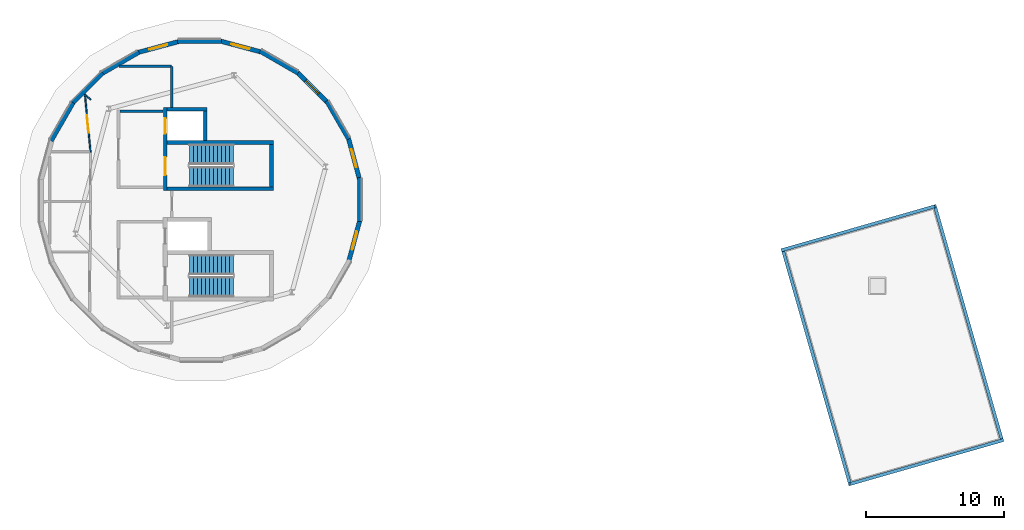
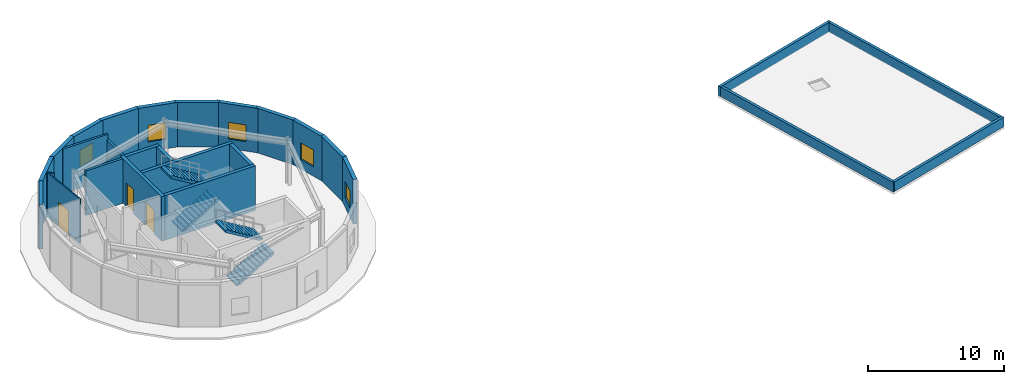
# One storey, part 3 of 5: 27 walls, 5 windows, 4 stair flights, 3 doors, 8 openings, 2 elements without a shape of their own.
"""IFC4 building model written with IfcOpenShell, lengths in metres."""

from ifc_helpers import new_model, si_unit, direction, frame, frame_2d, origin, place, context, subcontext, project, spatial, polyline, rectangle, outline, extrude, material, layer, layer_set, type_object, element, fill, aggregate, save


model = new_model("IFC4")

# Units and contexts
model_context = context("Model", 3, precision=1e-05, world=origin(), true_north=direction((0.0, 1.0)))
body_context = subcontext(model_context, "Body", "Model", "MODEL_VIEW")
ifc_project = project(units=[si_unit("LENGTHUNIT", "METRE"), si_unit("AREAUNIT", "SQUARE_METRE"), si_unit("VOLUMEUNIT", "CUBIC_METRE"), si_unit("PLANEANGLEUNIT", "RADIAN"), si_unit("MASSUNIT", "GRAM", prefix="KILO")], contexts=[model_context])

# Site, building, storey
site_placement = place(None, origin())
site = spatial("IfcSite", under=ifc_project, at=site_placement, CompositionType="ELEMENT")
building_placement = place(site_placement, origin())
building = spatial("IfcBuilding", under=site, at=building_placement, Name="Varnklinge Art Gallery", CompositionType="ELEMENT")
storey_placement = place(building_placement, frame((0.0, 0.0, 21.60009765625)))
storey = spatial("IfcBuildingStorey", under=building, at=storey_placement, Name="L05", CompositionType="ELEMENT", Elevation=21.60009765625)

# Wall
ifc_material_1 = material(Name="Precast concrete C40/50", Category="concrete")
ifc_layer_1 = layer(ifc_material_1, 0.320068359375)
ifc_layer_set_1 = layer_set([ifc_layer_1], Name="Precast concrete C40/50")
wall_type_1 = type_object("IfcWallType", Name="EW-32", PredefinedType="SOLIDWALL", material=ifc_layer_set_1)
wall_1_placement = place(storey_placement, frame((87.0390625, 40.17919921875, 0.0), z_axis=(0.0, 0.0, 1.0), x_axis=(0.0, -1.0, 0.0)))
element("IfcWall", 1, at=wall_1_placement, inside=storey, type_object=wall_type_1, Name="L05 Exterior Wall EW-V4D-L05-01", PredefinedType="SOLIDWALL", context=body_context, shape_type="SweptSolid", body=[
    extrude(rectangle(XDim=3.1982421875, YDim=0.320068359375, at=frame_2d((1.59912109375, 0.0))), origin(), (0.0, 0.0, 1.0), 4.0),
])

# Wall, opening, window
wall_2_placement = place(storey_placement, frame((87.080322265625, 37.135498046875, 0.0), z_axis=(0.0, 0.0, 1.0), x_axis=(-0.258774240958, -0.96593783041, 0.0)))
wall_2 = element("IfcWall", 2, at=wall_2_placement, inside=storey, type_object=wall_type_1, Name="L05 Exterior Wall EW-V4D-L05-02", PredefinedType="SOLIDWALL", context=body_context, shape_type="SweptSolid", body=[
    extrude(rectangle(XDim=3.1982421875, YDim=0.320068359375, at=frame_2d((1.59912109375, 0.0))), origin(), (0.0, 0.0, 1.0), 4.0),
])
opening_1_placement = place(wall_2_placement, frame((0.92431640625, 0.0, 0.85009765625)))
opening_1 = element("IfcOpeningElement", 3, at=opening_1_placement, cuts=wall_2, Name="Opening WN-02", PredefinedType="OPENING", context=body_context, shape_type="SweptSolid", body=[
    extrude(rectangle(XDim=1.35009765625, YDim=1.5, at=frame_2d((0.675048828125, 0.75))), frame((0.0, 0.170166015625, 0.0), z_axis=(0.0, -1.0, 0.0), x_axis=(1.0, 0.0, 0.0)), (0.0, 0.0, 1.0), 0.340087890625),
])
ifc_material_2 = material(Name="Insulated Low-E Triple Glazing", Category="glass")
window_type = type_object("IfcWindowType", Name="WN-02", PartitioningType="SINGLE_PANEL", PredefinedType="WINDOW", material=ifc_material_2)
window_1_placement = place(opening_1_placement, origin())
window_1 = element("IfcWindow", 4, at=window_1_placement, inside=storey, type_object=window_type, Name="L05 Window WIN-L05-116", OverallHeight=1.5, OverallWidth=1.35009765625, PartitioningType="SINGLE_PANEL", PredefinedType="WINDOW", context=body_context, shape_type="SweptSolid", body=[
    extrude(rectangle(XDim=1.35009765625, YDim=1.5, at=frame_2d((0.675048828125, 0.75))), frame((0.0, 0.030029296875, 0.0), z_axis=(0.0, -1.0, 0.0), x_axis=(1.0, 0.0, 0.0)), (0.0, 0.0, 1.0), 0.06005859375),
])
fill(opening_1, window_1)

# Walls
wall_3_placement = place(storey_placement, frame((64.667236328125, 42.815185546875, 0.0), z_axis=(0.0, 0.0, 1.0), x_axis=(0.499964726069, 0.86604576824, 0.0)))
element("IfcWall", 5, at=wall_3_placement, inside=storey, type_object=wall_type_1, Name="L05 Exterior Wall EW-V4D-L05-15", PredefinedType="SOLIDWALL", context=body_context, shape_type="SweptSolid", body=[
    extrude(rectangle(XDim=3.198486328125, YDim=0.320068359375, at=frame_2d((1.59912109375, 0.0))), origin(), (0.0, 0.0, 1.0), 4.0),
])
wall_4_placement = place(storey_placement, frame((66.1533203125, 45.47216796875, 0.0), z_axis=(0.0, 0.0, 1.0), x_axis=(0.707106781187, 0.707106781187, 0.0)))
element("IfcWall", 6, at=wall_4_placement, inside=storey, type_object=wall_type_1, Name="L05 Exterior Wall EW-V4D-L05-16", PredefinedType="SOLIDWALL", context=body_context, shape_type="SweptSolid", body=[
    extrude(rectangle(XDim=3.1982421875, YDim=0.320068359375, at=frame_2d((1.59912109375, 0.0))), origin(), (0.0, 0.0, 1.0), 4.0),
])
wall_5_placement = place(storey_placement, frame((68.276123046875, 47.653564453125, 0.0), z_axis=(0.0, 0.0, 1.0), x_axis=(0.86604576824, 0.499964726069, 0.0)))
element("IfcWall", 7, at=wall_5_placement, inside=storey, type_object=wall_type_1, Name="L05 Exterior Wall EW-V4D-L05-17", PredefinedType="SOLIDWALL", context=body_context, shape_type="SweptSolid", body=[
    extrude(rectangle(XDim=3.198486328125, YDim=0.320068359375, at=frame_2d((1.59912109375, 0.0))), origin(), (0.0, 0.0, 1.0), 4.0),
])

# Wall, opening, window
wall_6_placement = place(storey_placement, frame((70.8916015625, 49.211181640625, 0.0), z_axis=(0.0, 0.0, 1.0), x_axis=(0.965918747581, 0.258845461755, 0.0)))
wall_6 = element("IfcWall", 8, at=wall_6_placement, inside=storey, type_object=wall_type_1, Name="L05 Exterior Wall EW-V4D-L05-18", PredefinedType="SOLIDWALL", context=body_context, shape_type="SweptSolid", body=[
    extrude(rectangle(XDim=3.1982421875, YDim=0.320068359375, at=frame_2d((1.59912109375, 0.0))), origin(), (0.0, 0.0, 1.0), 4.0),
])
opening_2_placement = place(wall_6_placement, frame((0.92431640625, 0.0, 0.85009765625)))
opening_2 = element("IfcOpeningElement", 9, at=opening_2_placement, cuts=wall_6, Name="Opening WN-02", PredefinedType="OPENING", context=body_context, shape_type="SweptSolid", body=[
    extrude(rectangle(XDim=1.35009765625, YDim=1.5, at=frame_2d((0.675048828125, 0.75))), frame((0.0, 0.170166015625, 0.0), z_axis=(0.0, -1.0, 0.0), x_axis=(1.0, 0.0, 0.0)), (0.0, 0.0, 1.0), 0.340087890625),
])
window_2_placement = place(opening_2_placement, origin())
window_2 = element("IfcWindow", 10, at=window_2_placement, inside=storey, type_object=window_type, Name="L05 Window WIN-L05-120", OverallHeight=1.5, OverallWidth=1.35009765625, PartitioningType="SINGLE_PANEL", PredefinedType="WINDOW", context=body_context, shape_type="SweptSolid", body=[
    extrude(rectangle(XDim=1.35009765625, YDim=1.5, at=frame_2d((0.675048828125, 0.75))), frame((0.0, 0.030029296875, 0.0), z_axis=(0.0, -1.0, 0.0), x_axis=(1.0, 0.0, 0.0)), (0.0, 0.0, 1.0), 0.06005859375),
])
fill(opening_2, window_2)

# Wall
wall_7_placement = place(storey_placement, frame((73.82080078125, 50.0390625, 0.0), z_axis=(0.0, 0.0, 1.0), x_axis=(1.0, 0.0, 0.0)))
element("IfcWall", 11, at=wall_7_placement, inside=storey, type_object=wall_type_1, Name="L05 Exterior Wall EW-V4D-L05-19", PredefinedType="SOLIDWALL", context=body_context, shape_type="SweptSolid", body=[
    extrude(rectangle(XDim=3.1982421875, YDim=0.320068359375, at=frame_2d((1.59912109375, 0.0))), origin(), (0.0, 0.0, 1.0), 4.0),
])

# Wall, opening, window
wall_8_placement = place(storey_placement, frame((76.864501953125, 50.080322265625, 0.0), z_axis=(0.0, 0.0, 1.0), x_axis=(0.96593783041, -0.258774240958, 0.0)))
wall_8 = element("IfcWall", 12, at=wall_8_placement, inside=storey, type_object=wall_type_1, Name="L05 Exterior Wall EW-V4D-L05-20", PredefinedType="SOLIDWALL", context=body_context, shape_type="SweptSolid", body=[
    extrude(rectangle(XDim=3.1982421875, YDim=0.320068359375, at=frame_2d((1.59912109375, 0.0))), origin(), (0.0, 0.0, 1.0), 4.0),
])
opening_3_placement = place(wall_8_placement, frame((0.92431640625, 0.0, 0.85009765625)))
opening_3 = element("IfcOpeningElement", 13, at=opening_3_placement, cuts=wall_8, Name="Opening WN-02", PredefinedType="OPENING", context=body_context, shape_type="SweptSolid", body=[
    extrude(rectangle(XDim=1.35009765625, YDim=1.5, at=frame_2d((0.675048828125, 0.75))), frame((0.0, 0.170166015625, 0.0), z_axis=(0.0, -1.0, 0.0), x_axis=(1.0, 0.0, 0.0)), (0.0, 0.0, 1.0), 0.340087890625),
])
window_3_placement = place(opening_3_placement, origin())
window_3 = element("IfcWindow", 14, at=window_3_placement, inside=storey, type_object=window_type, Name="L05 Window WIN-L05-121", OverallHeight=1.5, OverallWidth=1.35009765625, PartitioningType="SINGLE_PANEL", PredefinedType="WINDOW", context=body_context, shape_type="SweptSolid", body=[
    extrude(rectangle(XDim=1.35009765625, YDim=1.5, at=frame_2d((0.675048828125, 0.75))), frame((0.0, 0.030029296875, 0.0), z_axis=(0.0, -1.0, 0.0), x_axis=(1.0, 0.0, 0.0)), (0.0, 0.0, 1.0), 0.06005859375),
])
fill(opening_3, window_3)

# Wall
wall_9_placement = place(storey_placement, frame((79.815185546875, 49.332763671875, 0.0), z_axis=(0.0, 0.0, 1.0), x_axis=(0.86604576824, -0.499964726069, 0.0)))
element("IfcWall", 15, at=wall_9_placement, inside=storey, type_object=wall_type_1, Name="L05 Exterior Wall EW-V4D-L05-21", PredefinedType="SOLIDWALL", context=body_context, shape_type="SweptSolid", body=[
    extrude(rectangle(XDim=3.198486328125, YDim=0.320068359375, at=frame_2d((1.59912109375, 0.0))), origin(), (0.0, 0.0, 1.0), 4.0),
])

# Wall, opening, window
wall_10_placement = place(storey_placement, frame((82.47216796875, 47.8466796875, 0.0), z_axis=(0.0, 0.0, 1.0), x_axis=(0.707106781187, -0.707106781187, 0.0)))
wall_10 = element("IfcWall", 16, at=wall_10_placement, inside=storey, type_object=wall_type_1, Name="L05 Exterior Wall EW-V4D-L05-22", PredefinedType="SOLIDWALL", context=body_context, shape_type="SweptSolid", body=[
    extrude(rectangle(XDim=3.1982421875, YDim=0.320068359375, at=frame_2d((1.59912109375, 0.0))), origin(), (0.0, 0.0, 1.0), 4.0),
])
opening_4_placement = place(wall_10_placement, frame((0.92431640625, 0.0, 0.85009765625)))
opening_4 = element("IfcOpeningElement", 17, at=opening_4_placement, cuts=wall_10, Name="Opening WN-02", PredefinedType="OPENING", context=body_context, shape_type="SweptSolid", body=[
    extrude(rectangle(XDim=1.35009765625, YDim=1.5, at=frame_2d((0.675048828125, 0.75))), frame((0.0, 0.170166015625, 0.0), z_axis=(0.0, -1.0, 0.0), x_axis=(1.0, 0.0, 0.0)), (0.0, 0.0, 1.0), 0.340087890625),
])
window_4_placement = place(opening_4_placement, origin())
window_4 = element("IfcWindow", 18, at=window_4_placement, inside=storey, type_object=window_type, Name="L05 Window WIN-L05-122", OverallHeight=1.5, OverallWidth=1.35009765625, PartitioningType="SINGLE_PANEL", PredefinedType="WINDOW", context=body_context, shape_type="SweptSolid", body=[
    extrude(rectangle(XDim=1.35009765625, YDim=1.5, at=frame_2d((0.675048828125, 0.75))), frame((0.0, 0.030029296875, 0.0), z_axis=(0.0, -1.0, 0.0), x_axis=(1.0, 0.0, 0.0)), (0.0, 0.0, 1.0), 0.06005859375),
])
fill(opening_4, window_4)

# Wall
wall_11_placement = place(storey_placement, frame((84.653564453125, 45.723876953125, 0.0), z_axis=(0.0, 0.0, 1.0), x_axis=(0.499964726069, -0.86604576824, 0.0)))
element("IfcWall", 19, at=wall_11_placement, inside=storey, type_object=wall_type_1, Name="L05 Exterior Wall EW-V4D-L05-23", PredefinedType="SOLIDWALL", context=body_context, shape_type="SweptSolid", body=[
    extrude(rectangle(XDim=3.198486328125, YDim=0.320068359375, at=frame_2d((1.59912109375, 0.0))), origin(), (0.0, 0.0, 1.0), 4.0),
])

# Wall, opening, window
wall_12_placement = place(storey_placement, frame((86.211181640625, 43.1083984375, 0.0), z_axis=(0.0, 0.0, 1.0), x_axis=(0.258845461755, -0.965918747581, 0.0)))
wall_12 = element("IfcWall", 20, at=wall_12_placement, inside=storey, type_object=wall_type_1, Name="L05 Exterior Wall EW-V4D-L05-24", PredefinedType="SOLIDWALL", context=body_context, shape_type="SweptSolid", body=[
    extrude(rectangle(XDim=3.1982421875, YDim=0.320068359375, at=frame_2d((1.59912109375, 0.0))), origin(), (0.0, 0.0, 1.0), 4.0),
])
opening_5_placement = place(wall_12_placement, frame((0.92431640625, 0.0, 0.85009765625)))
opening_5 = element("IfcOpeningElement", 21, at=opening_5_placement, cuts=wall_12, Name="Opening WN-02", PredefinedType="OPENING", context=body_context, shape_type="SweptSolid", body=[
    extrude(rectangle(XDim=1.35009765625, YDim=1.5, at=frame_2d((0.675048828125, 0.75))), frame((0.0, 0.170166015625, 0.0), z_axis=(0.0, -1.0, 0.0), x_axis=(1.0, 0.0, 0.0)), (0.0, 0.0, 1.0), 0.340087890625),
])
window_5_placement = place(opening_5_placement, origin())
window_5 = element("IfcWindow", 22, at=window_5_placement, inside=storey, type_object=window_type, Name="L05 Window WIN-L05-123", OverallHeight=1.5, OverallWidth=1.35009765625, PartitioningType="SINGLE_PANEL", PredefinedType="WINDOW", context=body_context, shape_type="SweptSolid", body=[
    extrude(rectangle(XDim=1.35009765625, YDim=1.5, at=frame_2d((0.675048828125, 0.75))), frame((0.0, 0.030029296875, 0.0), z_axis=(0.0, -1.0, 0.0), x_axis=(1.0, 0.0, 0.0)), (0.0, 0.0, 1.0), 0.06005859375),
])
fill(opening_5, window_5)

# Wall
ifc_material_3 = material(Name="Gypsum Board Partition", Category="gypsum")
ifc_layer_2 = layer(ifc_material_3, 0.10009765625)
ifc_layer_set_2 = layer_set([ifc_layer_2], Name="Gypsum Board Partition")
wall_type_2 = type_object("IfcWallType", Name="IW-10", PredefinedType="PARTITIONING", material=ifc_layer_set_2)
wall_13_placement = place(storey_placement, frame((67.106689453125, 46.193603515625, 0.0), z_axis=(0.0, 0.0, 1.0), x_axis=(0.732402237613, -0.680872207054, 0.0)))
element("IfcWall", 23, at=wall_13_placement, inside=storey, type_object=wall_type_2, Name="L05 Partition Wall IW-L05-0379", PredefinedType="PARTITIONING", context=body_context, shape_type="SweptSolid", body=[
    extrude(rectangle(XDim=0.578125, YDim=0.10009765625, at=frame_2d((0.2890625, 0.0))), origin(), (0.0, 0.0, 1.0), 3.989990234375),
])

# Wall, opening, door
wall_14_placement = place(storey_placement, frame((67.13134765625, 46.081787109375, 0.0), z_axis=(0.0, 0.0, 1.0), x_axis=(0.0972107078, -0.99526382346, 0.0)))
wall_14 = element("IfcWall", 24, at=wall_14_placement, inside=storey, type_object=wall_type_2, Name="L05 Partition Wall IW-L05-0380", PredefinedType="PARTITIONING", context=body_context, shape_type="SweptSolid", body=[
    extrude(rectangle(XDim=4.101318359375, YDim=0.10009765625, at=frame_2d((2.05078125, 0.0))), origin(), (0.0, 0.0, 1.0), 3.989990234375),
])
opening_6_placement = place(wall_14_placement, frame((1.400634765625, 0.0, 0.0)))
opening_6 = element("IfcOpeningElement", 25, at=opening_6_placement, cuts=wall_14, Name="Opening D-L05-273", PredefinedType="OPENING", context=body_context, shape_type="SweptSolid", body=[
    extrude(rectangle(XDim=1.300048828125, YDim=2.14990234375, at=frame_2d((0.64990234375, 1.074951171875))), frame((0.0, 0.06005859375, 0.0), z_axis=(0.0, -1.0, 0.0), x_axis=(1.0, 0.0, 0.0)), (0.0, 0.0, 1.0), 0.1201171875),
])
ifc_material_4 = material(Name="Oak Timber Leaf", Category="wood")
door_type_1 = type_object("IfcDoorType", Name="ID-11", OperationType="SINGLE_SWING_LEFT", PredefinedType="DOOR", material=ifc_material_4)
door_1_placement = place(opening_6_placement, origin())
door_1 = element("IfcDoor", 26, at=door_1_placement, inside=storey, type_object=door_type_1, Name="L05 L05 Curatorial Conservation Closet Door D-L05-273", OperationType="SINGLE_SWING_LEFT", OverallHeight=2.14990234375, OverallWidth=1.300048828125, PredefinedType="DOOR", context=body_context, shape_type="SweptSolid", body=[
    extrude(rectangle(XDim=1.300048828125, YDim=2.14990234375, at=frame_2d((0.64990234375, 1.074951171875))), frame((0.0, 0.02490234375, 0.0), z_axis=(0.0, -1.0, 0.0), x_axis=(1.0, 0.0, 0.0)), (0.0, 0.0, 1.0), 0.050048828125),
])
fill(opening_6, door_1)

# Walls
ifc_material_5 = material(Name="Gypsum Board Partition", Category="gypsum")
ifc_layer_3 = layer(ifc_material_5, 0.179931640625)
ifc_layer_set_3 = layer_set([ifc_layer_3], Name="Gypsum Board Partition")
wall_type_3 = type_object("IfcWallType", Name="IW-18", PredefinedType="PARTITIONING", material=ifc_layer_set_3)
wall_15_placement = place(storey_placement, frame((69.6025390625, 48.22998046875, 0.0), z_axis=(0.0, 0.0, 1.0), x_axis=(0.99999839581, -0.00179119467, 0.0)))
element("IfcWall", 27, at=wall_15_placement, inside=storey, type_object=wall_type_3, Name="L05 Partition Wall IW-L05-0384", PredefinedType="PARTITIONING", context=body_context, shape_type="SweptSolid", body=[
    extrude(rectangle(XDim=3.81640625, YDim=0.179931640625, at=frame_2d((1.908203125, 0.0))), origin(), (0.0, 0.0, 1.0), 3.989990234375),
])
wall_16_placement = place(storey_placement, frame((73.4189453125, 48.22314453125, 0.0), z_axis=(0.0, 0.0, 1.0), x_axis=(0.003700024007, -0.999993154888, 0.0)))
element("IfcWall", 28, at=wall_16_placement, inside=storey, type_object=wall_type_3, Name="L05 Partition Wall IW-L05-0385", PredefinedType="PARTITIONING", context=body_context, shape_type="SweptSolid", body=[
    extrude(rectangle(XDim=2.96923828125, YDim=0.179931640625, at=frame_2d((1.484619140625, 0.0))), origin(), (0.0, 0.0, 1.0), 3.489990234375),
])
ifc_material_6 = material(Name="Concrete C40/50", Category="concrete")
ifc_layer_4 = layer(ifc_material_6, 0.199951171875)
ifc_layer_set_4 = layer_set([ifc_layer_4], Name="Concrete C40/50")
wall_type_4 = type_object("IfcWallType", Name="IW-20", PredefinedType="PARTITIONING", material=ifc_layer_set_4)
wall_17_placement = place(storey_placement, frame((72.800048828125, 44.9599609375, 0.0), z_axis=(0.0, 0.0, 1.0), x_axis=(-1.0, 0.0, 0.0)))
element("IfcWall", 29, at=wall_17_placement, inside=storey, type_object=wall_type_4, Name="L05 Core C2 Lobby North Wall", PredefinedType="PARTITIONING", context=body_context, shape_type="SweptSolid", body=[
    extrude(rectangle(XDim=3.150146484375, YDim=0.199951171875, at=frame_2d((1.5751953125, 0.0))), origin(), (0.0, 0.0, 1.0), 4.0),
])
ifc_material_7 = material(Name="Concrete C40/50", Category="concrete")
ifc_layer_5 = layer(ifc_material_7, 0.22998046875)
ifc_layer_set_5 = layer_set([ifc_layer_5], Name="Concrete C40/50")
wall_type_5 = type_object("IfcWallType", Name="PW-23", PredefinedType="PARAPET", material=ifc_layer_set_5)
wall_18_placement = place(storey_placement, frame((122.650146484375, 17.818359375, 0.0), z_axis=(0.0, 0.0, 1.0), x_axis=(-0.275632971582, 0.961262953087, 0.0)))
element("IfcWall", 30, at=wall_18_placement, inside=storey, type_object=wall_type_5, Name="L05 Exterior Wall PAR-SLB-V6-L05-ROOF-01", PredefinedType="PARAPET", context=body_context, shape_type="SweptSolid", body=[
    extrude(rectangle(XDim=17.784912109375, YDim=0.22998046875, at=frame_2d((8.892578125, 0.0))), origin(), (0.0, 0.0, 1.0), 0.849853515625),
])
wall_19_placement = place(storey_placement, frame((117.637451171875, 34.8828125, 0.0), z_axis=(0.0, 0.0, 1.0), x_axis=(0.961265068587, 0.275625593722, 0.0)))
element("IfcWall", 31, at=wall_19_placement, inside=storey, type_object=wall_type_5, Name="L05 Exterior Wall PAR-SLB-V6-L05-ROOF-02", PredefinedType="PARAPET", context=body_context, shape_type="SweptSolid", body=[
    extrude(rectangle(XDim=11.5849609375, YDim=0.22998046875, at=frame_2d((5.79248046875, 0.0))), origin(), (0.0, 0.0, 1.0), 0.849853515625),
])
wall_20_placement = place(storey_placement, frame((128.7421875, 38.1865234375, 0.0), z_axis=(0.0, 0.0, 1.0), x_axis=(0.275629334468, -0.961263995987, 0.0)))
element("IfcWall", 32, at=wall_20_placement, inside=storey, type_object=wall_type_5, Name="L05 Exterior Wall PAR-SLB-V6-L05-ROOF-03", PredefinedType="PARAPET", context=body_context, shape_type="SweptSolid", body=[
    extrude(rectangle(XDim=17.78515625, YDim=0.22998046875, at=frame_2d((8.892578125, 0.0))), origin(), (0.0, 0.0, 1.0), 0.849853515625),
])
wall_21_placement = place(storey_placement, frame((133.7548828125, 21.1220703125, 0.0), z_axis=(0.0, 0.0, 1.0), x_axis=(-0.961266669511, -0.275620010315, 0.0)))
element("IfcWall", 33, at=wall_21_placement, inside=storey, type_object=wall_type_5, Name="L05 Exterior Wall PAR-SLB-V6-L05-ROOF-04", PredefinedType="PARAPET", context=body_context, shape_type="SweptSolid", body=[
    extrude(rectangle(XDim=11.585205078125, YDim=0.22998046875, at=frame_2d((5.79248046875, 0.0))), origin(), (0.0, 0.0, 1.0), 0.849853515625),
])
ifc_material_8 = material(Name="Concrete C40/50", Category="concrete")
ifc_layer_6 = layer(ifc_material_8, 0.280029296875)
ifc_layer_set_6 = layer_set([ifc_layer_6], Name="Concrete C40/50")
wall_type_6 = type_object("IfcWallType", Name="SW-28", PredefinedType="SHEAR", material=ifc_layer_set_6)
wall_22_placement = place(storey_placement, frame((73.090087890625, 39.35009765625, 0.0), z_axis=(0.0, 0.0, 1.0), x_axis=(1.0, 0.0, 0.0)))
element("IfcWall", 34, at=wall_22_placement, inside=storey, type_object=wall_type_6, Name="L05 Core C2 South Shear Wall", PredefinedType="SHEAR", context=body_context, shape_type="SweptSolid", body=[
    extrude(rectangle(XDim=7.699951171875, YDim=0.280029296875, at=frame_2d((3.85009765625, 0.0))), origin(), (0.0, 0.0, 1.0), 4.0),
])
wall_23_placement = place(storey_placement, frame((80.64990234375, 39.489990234375, 0.0), z_axis=(0.0, 0.0, 1.0), x_axis=(0.0, 1.0, 0.0)))
element("IfcWall", 35, at=wall_23_placement, inside=storey, type_object=wall_type_6, Name="L05 Core C2 East Shear Wall", PredefinedType="SHEAR", context=body_context, shape_type="SweptSolid", body=[
    extrude(rectangle(XDim=3.080078125, YDim=0.280029296875, at=frame_2d((1.5400390625, 0.0))), origin(), (0.0, 0.0, 1.0), 4.0),
])
wall_24_placement = place(storey_placement, frame((80.7900390625, 42.7099609375, 0.0), z_axis=(0.0, 0.0, 1.0), x_axis=(-1.0, 0.0, 0.0)))
element("IfcWall", 36, at=wall_24_placement, inside=storey, type_object=wall_type_6, Name="L05 Core C2 Dividing Shear Wall", PredefinedType="SHEAR", context=body_context, shape_type="SweptSolid", body=[
    extrude(rectangle(XDim=7.699951171875, YDim=0.280029296875, at=frame_2d((3.85009765625, 0.0))), origin(), (0.0, 0.0, 1.0), 4.0),
])
wall_25_placement = place(storey_placement, frame((75.85009765625, 42.85009765625, 0.0), z_axis=(0.0, 0.0, 1.0), x_axis=(0.0, 1.0, 0.0)))
element("IfcWall", 37, at=wall_25_placement, inside=storey, type_object=wall_type_6, Name="L05 Core C2 Lift East Shear Wall", PredefinedType="SHEAR", context=body_context, shape_type="SweptSolid", body=[
    extrude(rectangle(XDim=2.119873046875, YDim=0.280029296875, at=frame_2d((1.06005859375, 0.0))), origin(), (0.0, 0.0, 1.0), 4.0),
])
wall_26_placement = place(storey_placement, frame((75.989990234375, 45.110107421875, 0.0), z_axis=(0.0, 0.0, 1.0), x_axis=(-1.0, 0.0, 0.0)))
element("IfcWall", 38, at=wall_26_placement, inside=storey, type_object=wall_type_6, Name="L05 Core C2 Lift North Shear Wall", PredefinedType="SHEAR", context=body_context, shape_type="SweptSolid", body=[
    extrude(rectangle(XDim=2.89990234375, YDim=0.280029296875, at=frame_2d((1.449951171875, 0.0))), origin(), (0.0, 0.0, 1.0), 4.0),
])

# Wall, openings, doors
wall_27_placement = place(storey_placement, frame((72.949951171875, 45.25, 0.0), z_axis=(0.0, 0.0, 1.0), x_axis=(0.0, -1.0, 0.0)))
wall_27 = element("IfcWall", 39, at=wall_27_placement, inside=storey, type_object=wall_type_6, Name="L05 Core C2 Front Shear Wall", PredefinedType="SHEAR", context=body_context, shape_type="SweptSolid", body=[
    extrude(rectangle(XDim=6.0400390625, YDim=0.280029296875, at=frame_2d((3.02001953125, 0.0))), origin(), (0.0, 0.0, 1.0), 4.0),
])
opening_7_placement = place(wall_27_placement, frame((0.800048828125, 0.0, 0.0)))
opening_7 = element("IfcOpeningElement", 40, at=opening_7_placement, cuts=wall_27, Name="Opening LD-L05-043", PredefinedType="OPENING", context=body_context, shape_type="SweptSolid", body=[
    extrude(rectangle(XDim=1.10009765625, YDim=2.1201171875, at=frame_2d((0.550048828125, 1.06005859375))), frame((0.0, 0.150146484375, 0.0), z_axis=(0.0, -1.0, 0.0), x_axis=(1.0, 0.0, 0.0)), (0.0, 0.0, 1.0), 0.300048828125),
])
opening_8_placement = place(wall_27_placement, frame((3.60009765625, 0.0, 0.0)))
opening_8 = element("IfcOpeningElement", 41, at=opening_8_placement, cuts=wall_27, Name="Opening D-L05-044", PredefinedType="OPENING", context=body_context, shape_type="SweptSolid", body=[
    extrude(rectangle(XDim=1.320068359375, YDim=2.1201171875, at=frame_2d((0.66015625, 1.06005859375))), frame((0.0, 0.150146484375, 0.0), z_axis=(0.0, -1.0, 0.0), x_axis=(1.0, 0.0, 0.0)), (0.0, 0.0, 1.0), 0.300048828125),
])
ifc_material_9 = material(Name="Galvanised Fire-Rated Steel", Category="steel")
door_type_2 = type_object("IfcDoorType", Name="ID-ST1", OperationType="SINGLE_SWING_LEFT", PredefinedType="DOOR", material=ifc_material_9)
door_2_placement = place(opening_8_placement, origin())
door_2 = element("IfcDoor", 42, at=door_2_placement, inside=storey, type_object=door_type_2, Name="L05 Stair ST-02 Fire Door D-L05-044", OperationType="SINGLE_SWING_LEFT", OverallHeight=2.1201171875, OverallWidth=1.320068359375, PredefinedType="DOOR", context=body_context, shape_type="SweptSolid", body=[
    extrude(rectangle(XDim=1.320068359375, YDim=2.1201171875, at=frame_2d((0.66015625, 1.06005859375))), frame((0.0, 0.02490234375, 0.0), z_axis=(0.0, -1.0, 0.0), x_axis=(1.0, 0.0, 0.0)), (0.0, 0.0, 1.0), 0.050048828125),
])
fill(opening_8, door_2)
ifc_material_10 = material(Name="Anodised Aluminium", Category="aluminium")
door_type_3 = type_object("IfcDoorType", Name="LD-PAX", OperationType="SLIDING_TO_LEFT", PredefinedType="DOOR", material=ifc_material_10)
door_3_placement = place(opening_7_placement, origin())
door_3 = element("IfcDoor", 43, at=door_3_placement, inside=storey, type_object=door_type_3, Name="L05 LF-02 Sliding Landing Door LD-L05-043", OperationType="SLIDING_TO_LEFT", OverallHeight=2.1201171875, OverallWidth=1.10009765625, PredefinedType="DOOR", context=body_context, shape_type="SweptSolid", body=[
    extrude(rectangle(XDim=1.10009765625, YDim=2.1201171875, at=frame_2d((0.550048828125, 1.06005859375))), frame((0.0, 0.02490234375, 0.0), z_axis=(0.0, -1.0, 0.0), x_axis=(1.0, 0.0, 0.0)), (0.0, 0.0, 1.0), 0.050048828125),
])
fill(opening_7, door_3)

# Stair, stair flights
ifc_material_11 = material(Name="Concrete C40/50", Category="concrete")
stair_type = type_object("IfcStairType", Name="STR-C4200", PredefinedType="HALF_TURN_STAIR", material=ifc_material_11)
stair_1_placement = place(storey_placement, origin())
stair_1 = element("IfcStair", 44, at=stair_1_placement, inside=storey, type_object=stair_type, Name="L05 Core C1 Stair ST-01", PredefinedType="HALF_TURN_STAIR")
ifc_material_12 = material(Name="Concrete C40/50", Category="concrete")
stair_flight_type = type_object("IfcStairFlightType", Name="FLT-C4200", PredefinedType="STRAIGHT", material=ifc_material_12)
stair_flight_1_placement = place(storey_placement, frame((74.699951171875, 32.22509765625, 0.0), z_axis=(0.0, 0.0, 1.0), x_axis=(1.0, 0.0, 0.0)))
stair_flight_1 = element("IfcStairFlight", 45, at=stair_flight_1_placement, type_object=stair_flight_type, Name="ST-01 flight 1", NumberOfRisers=12, NumberOfTreads=11, PredefinedType="STRAIGHT", RiserHeight=0.175, TreadLength=0.29, context=body_context, shape_type="SweptSolid", body=[
    extrude(outline(polyline([(0.0, 0.0), (0.0, 0.175048828125), (0.2900390625, 0.175048828125), (0.2900390625, 0.35009765625), (0.580078125, 0.35009765625), (0.580078125, 0.52490234375), (0.8701171875, 0.52490234375), (0.8701171875, 0.699951171875), (1.159912109375, 0.699951171875), (1.159912109375, 0.875), (1.449951171875, 0.875), (1.449951171875, 1.050048828125), (1.739990234375, 1.050048828125), (1.739990234375, 1.22509765625), (2.030029296875, 1.22509765625), (2.030029296875, 1.39990234375), (2.320068359375, 1.39990234375), (2.320068359375, 1.574951171875), (2.610107421875, 1.574951171875), (2.610107421875, 1.75), (2.89990234375, 1.75), (2.89990234375, 1.925048828125), (3.18994140625, 1.925048828125), (3.18994140625, 2.10009765625), (3.18994140625, 1.73828125), (0.3095703125, 0.0), (0.0, 0.0)])), frame((0.0, 0.72509765625, 0.0), z_axis=(0.0, -1.0, 0.0), x_axis=(1.0, 0.0, 0.0)), (0.0, 0.0, 1.0), 1.449951171875),
])
stair_flight_2_placement = place(storey_placement, frame((77.889892578125, 33.8349609375, 2.099853515625), z_axis=(0.0, 0.0, 1.0), x_axis=(-1.0, 0.0, 0.0)))
stair_flight_2 = element("IfcStairFlight", 46, at=stair_flight_2_placement, type_object=stair_flight_type, Name="ST-01 flight 2", NumberOfRisers=12, NumberOfTreads=11, PredefinedType="STRAIGHT", RiserHeight=0.175, TreadLength=0.29, context=body_context, shape_type="SweptSolid", body=[
    extrude(outline(polyline([(0.0, 0.0), (0.0, 0.175048828125), (0.2900390625, 0.175048828125), (0.2900390625, 0.35009765625), (0.580078125, 0.35009765625), (0.580078125, 0.52490234375), (0.8701171875, 0.52490234375), (0.8701171875, 0.699951171875), (1.159912109375, 0.699951171875), (1.159912109375, 0.875), (1.449951171875, 0.875), (1.449951171875, 1.050048828125), (1.739990234375, 1.050048828125), (1.739990234375, 1.22509765625), (2.030029296875, 1.22509765625), (2.030029296875, 1.39990234375), (2.320068359375, 1.39990234375), (2.320068359375, 1.574951171875), (2.610107421875, 1.574951171875), (2.610107421875, 1.75), (2.89990234375, 1.75), (2.89990234375, 1.925048828125), (3.18994140625, 1.925048828125), (3.18994140625, 2.10009765625), (3.18994140625, 1.73828125), (0.3095703125, 0.0), (0.0, 0.0)])), frame((0.0, 0.72509765625, 0.0), z_axis=(0.0, -1.0, 0.0), x_axis=(1.0, 0.0, 0.0)), (0.0, 0.0, 1.0), 1.449951171875),
])
aggregate(stair_1, [stair_flight_1, stair_flight_2])

stair_2_placement = place(storey_placement, origin())
stair_2 = element("IfcStair", 47, at=stair_2_placement, inside=storey, type_object=stair_type, Name="L05 Core C2 Stair ST-02", PredefinedType="HALF_TURN_STAIR")
stair_flight_3_placement = place(storey_placement, frame((74.699951171875, 40.22509765625, 0.0), z_axis=(0.0, 0.0, 1.0), x_axis=(1.0, 0.0, 0.0)))
stair_flight_3 = element("IfcStairFlight", 48, at=stair_flight_3_placement, type_object=stair_flight_type, Name="ST-02 flight 1", NumberOfRisers=12, NumberOfTreads=11, PredefinedType="STRAIGHT", RiserHeight=0.175, TreadLength=0.29, context=body_context, shape_type="SweptSolid", body=[
    extrude(outline(polyline([(0.0, 0.0), (0.0, 0.175048828125), (0.2900390625, 0.175048828125), (0.2900390625, 0.35009765625), (0.580078125, 0.35009765625), (0.580078125, 0.52490234375), (0.8701171875, 0.52490234375), (0.8701171875, 0.699951171875), (1.159912109375, 0.699951171875), (1.159912109375, 0.875), (1.449951171875, 0.875), (1.449951171875, 1.050048828125), (1.739990234375, 1.050048828125), (1.739990234375, 1.22509765625), (2.030029296875, 1.22509765625), (2.030029296875, 1.39990234375), (2.320068359375, 1.39990234375), (2.320068359375, 1.574951171875), (2.610107421875, 1.574951171875), (2.610107421875, 1.75), (2.89990234375, 1.75), (2.89990234375, 1.925048828125), (3.18994140625, 1.925048828125), (3.18994140625, 2.10009765625), (3.18994140625, 1.73828125), (0.3095703125, 0.0), (0.0, 0.0)])), frame((0.0, 0.72509765625, 0.0), z_axis=(0.0, -1.0, 0.0), x_axis=(1.0, 0.0, 0.0)), (0.0, 0.0, 1.0), 1.449951171875),
])
stair_flight_4_placement = place(storey_placement, frame((77.889892578125, 41.8349609375, 2.099853515625), z_axis=(0.0, 0.0, 1.0), x_axis=(-1.0, 0.0, 0.0)))
stair_flight_4 = element("IfcStairFlight", 49, at=stair_flight_4_placement, type_object=stair_flight_type, Name="ST-02 flight 2", NumberOfRisers=12, NumberOfTreads=11, PredefinedType="STRAIGHT", RiserHeight=0.175, TreadLength=0.29, context=body_context, shape_type="SweptSolid", body=[
    extrude(outline(polyline([(0.0, 0.0), (0.0, 0.175048828125), (0.2900390625, 0.175048828125), (0.2900390625, 0.35009765625), (0.580078125, 0.35009765625), (0.580078125, 0.52490234375), (0.8701171875, 0.52490234375), (0.8701171875, 0.699951171875), (1.159912109375, 0.699951171875), (1.159912109375, 0.875), (1.449951171875, 0.875), (1.449951171875, 1.050048828125), (1.739990234375, 1.050048828125), (1.739990234375, 1.22509765625), (2.030029296875, 1.22509765625), (2.030029296875, 1.39990234375), (2.320068359375, 1.39990234375), (2.320068359375, 1.574951171875), (2.610107421875, 1.574951171875), (2.610107421875, 1.75), (2.89990234375, 1.75), (2.89990234375, 1.925048828125), (3.18994140625, 1.925048828125), (3.18994140625, 2.10009765625), (3.18994140625, 1.73828125), (0.3095703125, 0.0), (0.0, 0.0)])), frame((0.0, 0.72509765625, 0.0), z_axis=(0.0, -1.0, 0.0), x_axis=(1.0, 0.0, 0.0)), (0.0, 0.0, 1.0), 1.449951171875),
])
aggregate(stair_2, [stair_flight_3, stair_flight_4])

save(model, "model.ifc")
